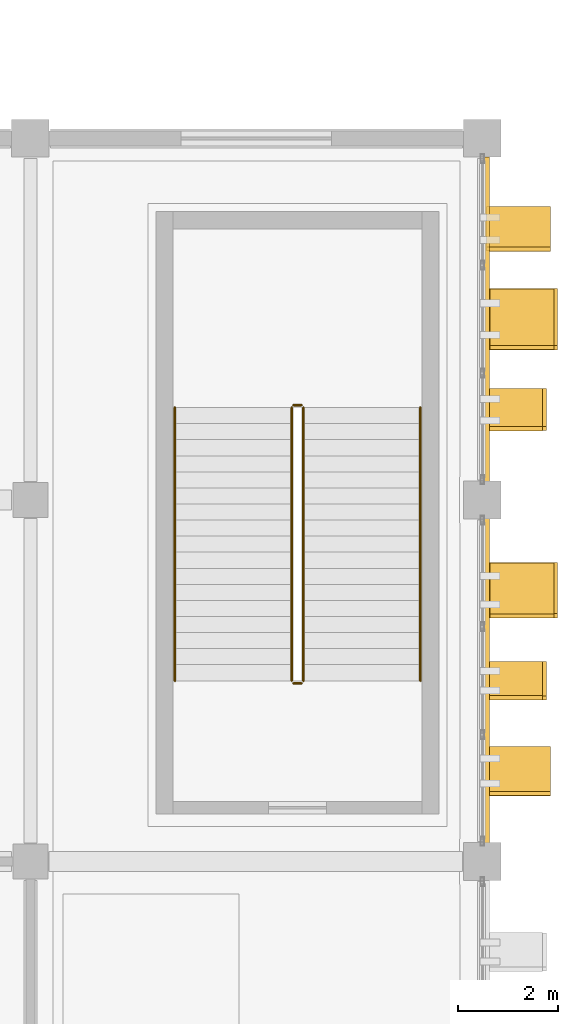
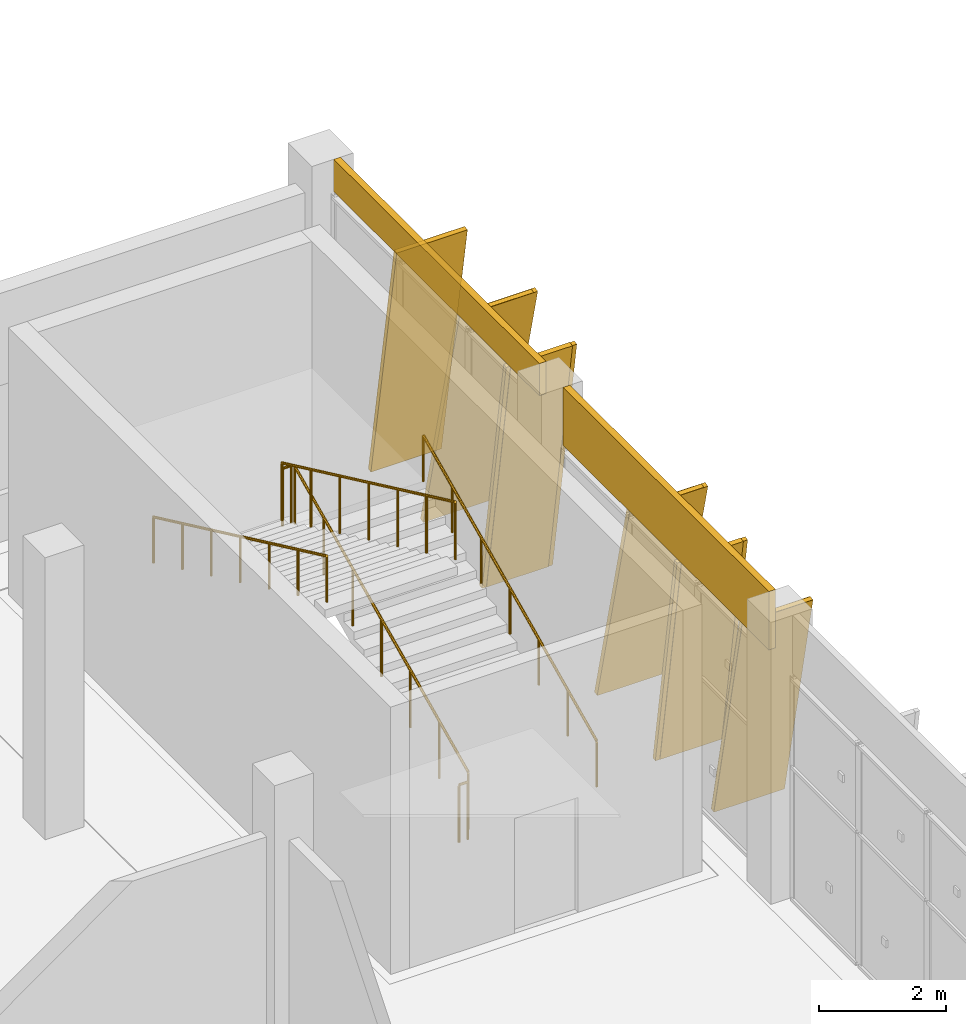
# One storey, part 173 of 189: 8 coverings, 6 railings, 6 shading devices.
"""IFC4 building model written with IfcOpenShell, lengths in metres."""

from ifc_helpers import new_model, si_unit, direction, frame, origin, origin_2d, place, context, subcontext, project, spatial, rectangle, circle, extrude, material, layer, layer_set, material_profile, profile_set, type_object, element, save


model = new_model("IFC4")

# Units and contexts
model_context = context("Model", 3, precision=1e-05, world=origin(), true_north=direction((0.0, 1.0)))
body_context = subcontext(model_context, "Body", "Model", "MODEL_VIEW")
ifc_project = project(units=[si_unit("LENGTHUNIT", "METRE"), si_unit("AREAUNIT", "SQUARE_METRE"), si_unit("VOLUMEUNIT", "CUBIC_METRE"), si_unit("PLANEANGLEUNIT", "RADIAN"), si_unit("MASSUNIT", "GRAM", prefix="KILO")], contexts=[model_context])

# Site, building, storey
site_placement = place(None, origin())
site = spatial("IfcSite", under=ifc_project, at=site_placement, CompositionType="ELEMENT")
building_placement = place(site_placement, origin())
building = spatial("IfcBuilding", under=site, at=building_placement, Name="Celestram Park Convention Centre", CompositionType="ELEMENT")
storey_placement = place(building_placement, frame((0.0, 0.0, 5.39990234375)))
storey = spatial("IfcBuildingStorey", under=building, at=storey_placement, Name="L01", CompositionType="ELEMENT", Elevation=5.39990234375)

# Coverings
ifc_material_1 = material(Name="Anodised Bronze Aluminium Spandrel Cladding", Category="aluminium")
ifc_layer_1 = layer(ifc_material_1, 0.050048828125)
ifc_layer_set_1 = layer_set([ifc_layer_1], Name="Anodised Bronze Aluminium Spandrel Cladding")
covering_type_1 = type_object("IfcCoveringType", Name="ARC-COV-CLD060", PredefinedType="CLADDING", material=ifc_layer_set_1)
covering_1_placement = place(storey_placement, frame((216.080078125, 32.39990234375, 4.7841796875), z_axis=(0.0, 0.0, 1.0), x_axis=(0.0, -1.0, 0.0)))
element("IfcCovering", 1, at=covering_1_placement, inside=storey, type_object=covering_type_1, Name="Bronze spandrel cladding CL-L01-101", PredefinedType="CLADDING", context=body_context, shape_type="SweptSolid", body=[
    extrude(rectangle(XDim=6.4541015625, YDim=0.1201171875, at=origin_2d()), origin(), (0.0, 0.0, 1.0), 0.615966796875),
])
covering_2_placement = place(storey_placement, frame((216.080078125, 25.199951171875, 4.2841796875), z_axis=(0.0, 0.0, 1.0), x_axis=(0.0, -1.0, 0.0)))
element("IfcCovering", 2, at=covering_2_placement, inside=storey, type_object=covering_type_1, Name="Bronze spandrel cladding CL-L01-102", PredefinedType="CLADDING", context=body_context, shape_type="SweptSolid", body=[
    extrude(rectangle(XDim=6.4541015625, YDim=0.1201171875, at=origin_2d()), origin(), (0.0, 0.0, 1.0), 1.115966796875),
])
ifc_material_2 = material(Name="Timber-Toned Anodised Aluminium Alloy 6063-T6", Category="wood")
ifc_material_profile_1 = material_profile(ifc_material_2, rectangle(XDim=1.1201171875, YDim=0.090087890625, at=origin_2d()), Name="REED1120X90")
ifc_profile_set_1 = profile_set([ifc_material_profile_1], Name="Timber-Toned Anodised Aluminium Alloy 6063-T6")
covering_type_2 = type_object("IfcCoveringType", Name="ARC-COV-FIN1120", PredefinedType="CLADDING", material=ifc_profile_set_1)
covering_3_placement = place(storey_placement, frame((216.639892578125, 30.97998046875, 0.03564453125), z_axis=(0.0, -0.159866942828, 0.987138572132), x_axis=(1.0, 0.0, 0.0)))
element("IfcCovering", 3, at=covering_3_placement, inside=storey, type_object=covering_type_2, Name="Leaning timber-toned reed fin RFN-L01-0307", PredefinedType="CLADDING", context=body_context, shape_type="SweptSolid", body=[
    extrude(rectangle(XDim=1.1201171875, YDim=0.090087890625, at=origin_2d()), origin(), (0.0, 0.0, 1.0), 4.75390625),
])
covering_4_placement = place(storey_placement, frame((216.639892578125, 25.5400390625, 0.032470703125), z_axis=(0.0, -0.159892813281, 0.987134382068), x_axis=(1.0, 0.0, 0.0)))
element("IfcCovering", 4, at=covering_4_placement, inside=storey, type_object=covering_type_2, Name="Leaning timber-toned reed fin RFN-L01-0309", PredefinedType="CLADDING", context=body_context, shape_type="SweptSolid", body=[
    extrude(rectangle(XDim=1.1201171875, YDim=0.090087890625, at=origin_2d()), origin(), (0.0, 0.0, 1.0), 4.25390625),
])
ifc_material_profile_2 = material_profile(ifc_material_2, rectangle(XDim=1.280029296875, YDim=0.090087890625, at=origin_2d()), Name="REED1280X90")
ifc_profile_set_2 = profile_set([ifc_material_profile_2], Name="Timber-Toned Anodised Aluminium Alloy 6063-T6")
covering_type_3 = type_object("IfcCoveringType", Name="ARC-COV-FIN1280", PredefinedType="CLADDING", material=ifc_profile_set_2)
covering_5_placement = place(storey_placement, frame((216.719970703125, 34.6044921875, 0.039794921875), z_axis=(0.0, -0.170192389469, 0.985410853688), x_axis=(1.0, 0.0, 0.0)))
element("IfcCovering", 5, at=covering_5_placement, inside=storey, type_object=covering_type_3, Name="Leaning timber-toned reed fin RFN-L01-0305", PredefinedType="CLADDING", context=body_context, shape_type="SweptSolid", body=[
    extrude(rectangle(XDim=1.280029296875, YDim=0.090087890625, at=origin_2d()), origin(), (0.0, 0.0, 1.0), 4.75390625),
])
covering_6_placement = place(storey_placement, frame((216.719970703125, 23.845947265625, 0.052490234375), z_axis=(0.0, -0.209650588793, 0.977776370454), x_axis=(1.0, 0.0, 0.0)))
element("IfcCovering", 6, at=covering_6_placement, inside=storey, type_object=covering_type_3, Name="Leaning timber-toned reed fin RFN-L01-0310", PredefinedType="CLADDING", context=body_context, shape_type="SweptSolid", body=[
    extrude(rectangle(XDim=1.280029296875, YDim=0.090087890625, at=origin_2d()), origin(), (0.0, 0.0, 1.0), 4.25390625),
])
ifc_material_profile_3 = material_profile(ifc_material_2, rectangle(XDim=1.419921875, YDim=0.090087890625, at=origin_2d()), Name="REED1420X90")
ifc_profile_set_3 = profile_set([ifc_material_profile_3], Name="Timber-Toned Anodised Aluminium Alloy 6063-T6")
covering_type_4 = type_object("IfcCoveringType", Name="ARC-COV-FIN1420", PredefinedType="CLADDING", material=ifc_profile_set_3)
covering_7_placement = place(storey_placement, frame((216.7900390625, 32.967041015625, 0.07373046875), z_axis=(0.0, -0.238545978049, 0.971131204502), x_axis=(1.0, 0.0, 0.0)))
element("IfcCovering", 7, at=covering_7_placement, inside=storey, type_object=covering_type_4, Name="Leaning timber-toned reed fin RFN-L01-0306", PredefinedType="CLADDING", context=body_context, shape_type="SweptSolid", body=[
    extrude(rectangle(XDim=1.419921875, YDim=0.090087890625, at=origin_2d()), origin(), (0.0, 0.0, 1.0), 4.75390625),
])
covering_8_placement = place(storey_placement, frame((216.7900390625, 27.50732421875, 0.06640625), z_axis=(0.0, -0.238509542534, 0.971140153696), x_axis=(1.0, 0.0, 0.0)))
element("IfcCovering", 8, at=covering_8_placement, inside=storey, type_object=covering_type_4, Name="Leaning timber-toned reed fin RFN-L01-0308", PredefinedType="CLADDING", context=body_context, shape_type="SweptSolid", body=[
    extrude(rectangle(XDim=1.419921875, YDim=0.090087890625, at=origin_2d()), origin(), (0.0, 0.0, 1.0), 4.254150390625),
])

# Shading devices
ifc_material_3 = material(Name="Anodised Bronze Aluminium Alloy 6063-T6", Category="aluminium")
ifc_material_profile_4 = material_profile(ifc_material_3, rectangle(XDim=1.280029296875, YDim=0.080078125, at=origin_2d()), Name="FIN1280X80")
ifc_profile_set_4 = profile_set([ifc_material_profile_4], Name="Anodised Bronze Aluminium Alloy 6063-T6")
shading_device_type = type_object("IfcShadingDeviceType", Name="ARC-FIN-BZ1280", PredefinedType="USERDEFINED", material=ifc_profile_set_4)
for number, where, z_axis, x_axis, name in (
    (9, (216.719970703125, 34.6044921875, 0.039794921875), (0.0, -0.170192389469, 0.985410853688), (1.0, 0.0, 0.0), "Expressive solar fin FN-L01-0305"),
    (10, (216.7900390625, 32.967041015625, 0.07373046875), (0.0, -0.238545978049, 0.971131204502), (1.0, 0.0, 0.0), "Expressive solar fin FN-L01-0306"),
    (11, (216.639892578125, 30.97998046875, 0.03564453125), (0.0, -0.159866942828, 0.987138572132), (1.0, 0.0, 0.0), "Expressive solar fin FN-L01-0307"),
):
    element("IfcShadingDevice", number, at=place(storey_placement, frame(where, z_axis=z_axis, x_axis=x_axis)), inside=storey, type_object=shading_device_type, Name=name, ObjectType="SOLAR_FIN", PredefinedType="USERDEFINED", context=body_context, shape_type="SweptSolid", body=[
        extrude(rectangle(XDim=1.280029296875, YDim=0.080078125, at=origin_2d()), origin(), (0.0, 0.0, 1.0), 4.75390625),
    ])
shading_device_placement = place(storey_placement, frame((216.7900390625, 27.50732421875, 0.06640625), z_axis=(0.0, -0.238509542534, 0.971140153696), x_axis=(1.0, 0.0, 0.0)))
element("IfcShadingDevice", 12, at=shading_device_placement, inside=storey, type_object=shading_device_type, Name="Expressive solar fin FN-L01-0308", ObjectType="SOLAR_FIN", PredefinedType="USERDEFINED", context=body_context, shape_type="SweptSolid", body=[
    extrude(rectangle(XDim=1.280029296875, YDim=0.080078125, at=origin_2d()), origin(), (0.0, 0.0, 1.0), 4.254150390625),
])
for number, where, z_axis, x_axis, name in (
    (13, (216.639892578125, 25.5400390625, 0.032470703125), (0.0, -0.159892813281, 0.987134382068), (1.0, 0.0, 0.0), "Expressive solar fin FN-L01-0309"),
    (14, (216.719970703125, 23.845947265625, 0.052490234375), (0.0, -0.209650588793, 0.977776370454), (1.0, 0.0, 0.0), "Expressive solar fin FN-L01-0310"),
):
    element("IfcShadingDevice", number, at=place(storey_placement, frame(where, z_axis=z_axis, x_axis=x_axis)), inside=storey, type_object=shading_device_type, Name=name, ObjectType="SOLAR_FIN", PredefinedType="USERDEFINED", context=body_context, shape_type="SweptSolid", body=[
        extrude(rectangle(XDim=1.280029296875, YDim=0.080078125, at=origin_2d()), origin(), (0.0, 0.0, 1.0), 4.25390625),
    ])

# Railings
ifc_material_4 = material(Name="Stainless Steel AISI 316L & Laminated Glass", Category="steel")
ifc_layer_2 = layer(ifc_material_4, 0.06005859375)
ifc_layer_set_2 = layer_set([ifc_layer_2], Name="Stainless Steel AISI 316L & Laminated Glass")
railing_type_1 = type_object("IfcRailingType", Name="ARC-RL-GRD1120", PredefinedType="GUARDRAIL", material=ifc_layer_set_2)
railing_1_placement = place(storey_placement, frame((212.43603515625, 25.199951171875, 0.150146484375)))
element("IfcRailing", 15, at=railing_1_placement, inside=storey, type_object=railing_type_1, Name="L01 ST-12 stair guard 1", PredefinedType="GUARDRAIL", context=body_context, shape_type="SweptSolid", body=[
    extrude(circle(Radius=0.02392578125, at=origin_2d()), frame((0.0, 0.0, 1.09619140625), z_axis=(0.0, 0.90545405566, 0.424444287379), x_axis=(-1.0, 0.0, 0.0)), (0.0, 0.0, 1.0), 6.008056640625),
    extrude(circle(Radius=0.02099609375, at=origin_2d()), origin(), (0.0, 0.0, 1.0), 1.072021484375),
    extrude(circle(Radius=0.02099609375, at=origin_2d()), frame((0.0, 0.90673828125, 0.425048828125)), (0.0, 0.0, 1.0), 1.072021484375),
    extrude(circle(Radius=0.02099609375, at=origin_2d()), frame((0.0, 1.813232421875, 0.85009765625)), (0.0, 0.0, 1.0), 1.072021484375),
    extrude(circle(Radius=0.02099609375, at=origin_2d()), frame((0.0, 2.719970703125, 1.27490234375)), (0.0, 0.0, 1.0), 1.072021484375),
    extrude(circle(Radius=0.02099609375, at=origin_2d()), frame((0.0, 3.626708984375, 1.699951171875)), (0.0, 0.0, 1.0), 1.072021484375),
    extrude(circle(Radius=0.02099609375, at=origin_2d()), frame((0.0, 4.533203125, 2.125)), (0.0, 0.0, 1.0), 1.072021484375),
    extrude(circle(Radius=0.02099609375, at=origin_2d()), frame((0.0, 5.43994140625, 2.550048828125)), (0.0, 0.0, 1.0), 1.072021484375),
])
railing_2_placement = place(storey_placement, frame((212.39990234375, 30.68994140625, 2.7001953125)))
element("IfcRailing", 16, at=railing_2_placement, inside=storey, type_object=railing_type_1, Name="L01 ST-12 stair guard 2", PredefinedType="GUARDRAIL", context=body_context, shape_type="SweptSolid", body=[
    extrude(circle(Radius=0.02392578125, at=origin_2d()), frame((0.0, 0.0, 1.09619140625), z_axis=(-1.0, 0.0, 0.0), x_axis=(0.0, -1.0, 0.0)), (0.0, 0.0, 1.0), 0.159912109375),
    extrude(circle(Radius=0.02099609375, at=origin_2d()), origin(), (0.0, 0.0, 1.0), 1.072021484375),
    extrude(circle(Radius=0.02099609375, at=origin_2d()), frame((-0.159912109375, 0.0, 0.0)), (0.0, 0.0, 1.0), 1.072021484375),
])
railing_3_placement = place(storey_placement, frame((212.2041015625, 30.639892578125, 2.85009765625)))
element("IfcRailing", 17, at=railing_3_placement, inside=storey, type_object=railing_type_1, Name="L01 ST-12 stair guard 3", PredefinedType="GUARDRAIL", context=body_context, shape_type="SweptSolid", body=[
    extrude(circle(Radius=0.02392578125, at=origin_2d()), frame((0.0, 0.0, 1.09619140625), z_axis=(0.0, -0.90545405566, 0.424444287379), x_axis=(1.0, 0.0, 0.0)), (0.0, 0.0, 1.0), 6.008056640625),
    extrude(circle(Radius=0.02099609375, at=origin_2d()), origin(), (0.0, 0.0, 1.0), 1.072021484375),
    extrude(circle(Radius=0.02099609375, at=origin_2d()), frame((0.0, -0.90673828125, 0.425048828125)), (0.0, 0.0, 1.0), 1.072021484375),
    extrude(circle(Radius=0.02099609375, at=origin_2d()), frame((0.0, -1.813232421875, 0.85009765625)), (0.0, 0.0, 1.0), 1.072021484375),
    extrude(circle(Radius=0.02099609375, at=origin_2d()), frame((0.0, -2.719970703125, 1.27490234375)), (0.0, 0.0, 1.0), 1.072021484375),
    extrude(circle(Radius=0.02099609375, at=origin_2d()), frame((0.0, -3.626708984375, 1.699951171875)), (0.0, 0.0, 1.0), 1.072021484375),
    extrude(circle(Radius=0.02099609375, at=origin_2d()), frame((0.0, -4.533203125, 2.125)), (0.0, 0.0, 1.0), 1.072021484375),
    extrude(circle(Radius=0.02099609375, at=origin_2d()), frame((0.0, -5.43994140625, 2.550048828125)), (0.0, 0.0, 1.0), 1.072021484375),
])
railing_4_placement = place(storey_placement, frame((212.39990234375, 25.14990234375, 0.0)))
element("IfcRailing", 18, at=railing_4_placement, inside=storey, type_object=railing_type_1, Name="L01 ST-12 stair guard 4", PredefinedType="GUARDRAIL", context=body_context, shape_type="SweptSolid", body=[
    extrude(circle(Radius=0.02392578125, at=origin_2d()), frame((0.0, 0.0, 1.09619140625), z_axis=(-1.0, 0.0, 0.0), x_axis=(0.0, -1.0, 0.0)), (0.0, 0.0, 1.0), 0.159912109375),
    extrude(circle(Radius=0.02099609375, at=origin_2d()), origin(), (0.0, 0.0, 1.0), 1.072021484375),
    extrude(circle(Radius=0.02099609375, at=origin_2d()), frame((-0.159912109375, 0.0, 0.0)), (0.0, 0.0, 1.0), 1.072021484375),
])
ifc_material_5 = material(Name="Brushed Stainless Steel AISI 304", Category="steel")
ifc_layer_3 = layer(ifc_material_5, 0.048095703125)
ifc_layer_set_3 = layer_set([ifc_layer_3], Name="Brushed Stainless Steel AISI 304")
railing_type_2 = type_object("IfcRailingType", Name="ARC-RL-HND915", PredefinedType="HANDRAIL", material=ifc_layer_set_3)
railing_5_placement = place(storey_placement, frame((214.763916015625, 25.199951171875, 0.150146484375)))
element("IfcRailing", 19, at=railing_5_placement, inside=storey, type_object=railing_type_2, Name="L01 ST-12 stair handrail 1", PredefinedType="HANDRAIL", context=body_context, shape_type="SweptSolid", body=[
    extrude(circle(Radius=0.02392578125, at=origin_2d()), frame((0.0, 0.0, 0.8759765625), z_axis=(0.0, 0.90545405566, 0.424444287379), x_axis=(-1.0, 0.0, 0.0)), (0.0, 0.0, 1.0), 6.008056640625),
    extrude(circle(Radius=0.02099609375, at=origin_2d()), origin(), (0.0, 0.0, 1.0), 0.851806640625),
    extrude(circle(Radius=0.02099609375, at=origin_2d()), frame((0.0, 0.90673828125, 0.425048828125)), (0.0, 0.0, 1.0), 0.851806640625),
    extrude(circle(Radius=0.02099609375, at=origin_2d()), frame((0.0, 1.813232421875, 0.85009765625)), (0.0, 0.0, 1.0), 0.851806640625),
    extrude(circle(Radius=0.02099609375, at=origin_2d()), frame((0.0, 2.719970703125, 1.27490234375)), (0.0, 0.0, 1.0), 0.851806640625),
    extrude(circle(Radius=0.02099609375, at=origin_2d()), frame((0.0, 3.626708984375, 1.699951171875)), (0.0, 0.0, 1.0), 0.851806640625),
    extrude(circle(Radius=0.02099609375, at=origin_2d()), frame((0.0, 4.533203125, 2.125)), (0.0, 0.0, 1.0), 0.851806640625),
    extrude(circle(Radius=0.02099609375, at=origin_2d()), frame((0.0, 5.43994140625, 2.550048828125)), (0.0, 0.0, 1.0), 0.851806640625),
])
railing_6_placement = place(storey_placement, frame((209.8759765625, 30.639892578125, 2.85009765625)))
element("IfcRailing", 20, at=railing_6_placement, inside=storey, type_object=railing_type_2, Name="L01 ST-12 stair handrail 2", PredefinedType="HANDRAIL", context=body_context, shape_type="SweptSolid", body=[
    extrude(circle(Radius=0.02392578125, at=origin_2d()), frame((0.0, 0.0, 0.8759765625), z_axis=(0.0, -0.90545405566, 0.424444287379), x_axis=(1.0, 0.0, 0.0)), (0.0, 0.0, 1.0), 6.008056640625),
    extrude(circle(Radius=0.02099609375, at=origin_2d()), origin(), (0.0, 0.0, 1.0), 0.851806640625),
    extrude(circle(Radius=0.02099609375, at=origin_2d()), frame((0.0, -0.90673828125, 0.425048828125)), (0.0, 0.0, 1.0), 0.851806640625),
    extrude(circle(Radius=0.02099609375, at=origin_2d()), frame((0.0, -1.813232421875, 0.85009765625)), (0.0, 0.0, 1.0), 0.851806640625),
    extrude(circle(Radius=0.02099609375, at=origin_2d()), frame((0.0, -2.719970703125, 1.27490234375)), (0.0, 0.0, 1.0), 0.851806640625),
    extrude(circle(Radius=0.02099609375, at=origin_2d()), frame((0.0, -3.626708984375, 1.699951171875)), (0.0, 0.0, 1.0), 0.851806640625),
    extrude(circle(Radius=0.02099609375, at=origin_2d()), frame((0.0, -4.533203125, 2.125)), (0.0, 0.0, 1.0), 0.851806640625),
    extrude(circle(Radius=0.02099609375, at=origin_2d()), frame((0.0, -5.43994140625, 2.550048828125)), (0.0, 0.0, 1.0), 0.851806640625),
])

save(model, "model.ifc")
